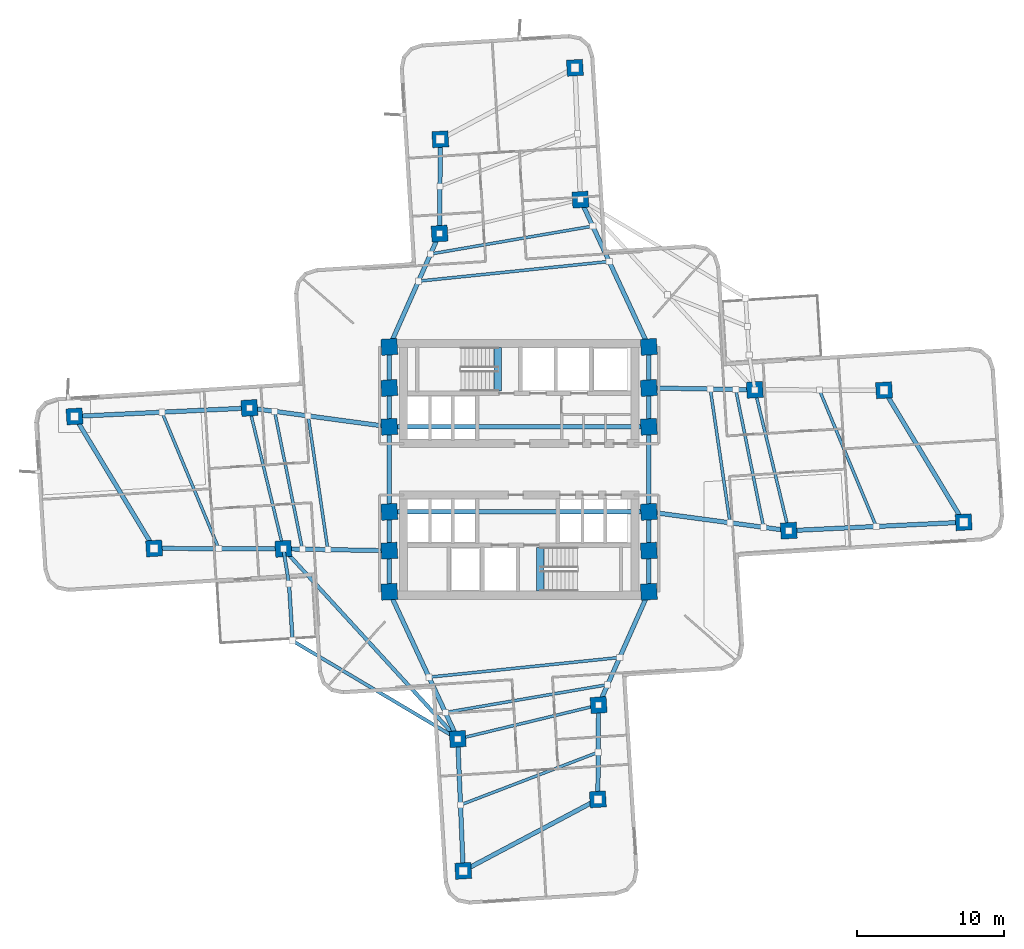
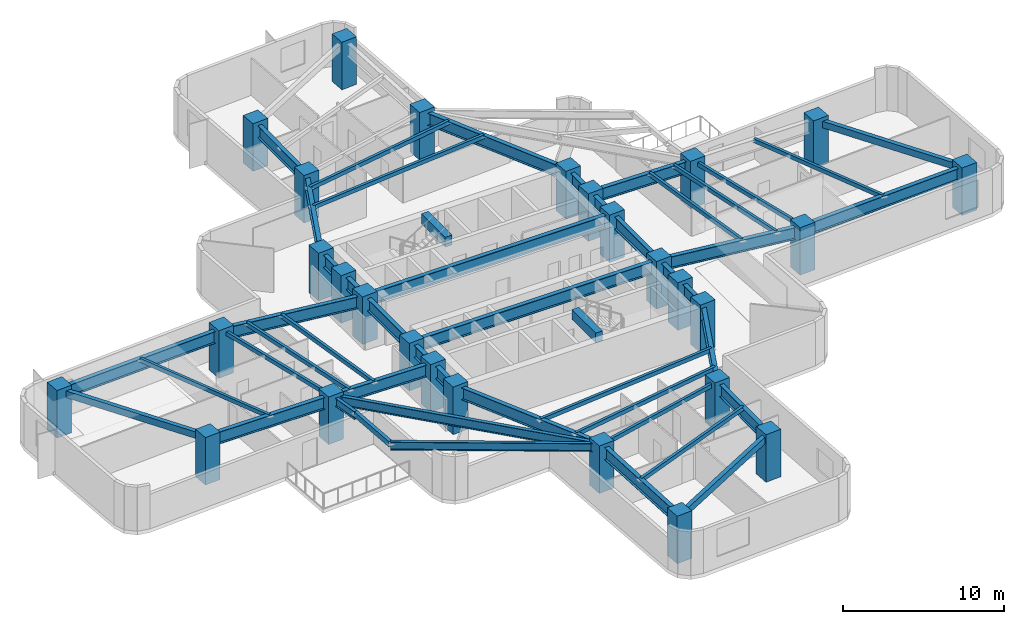
# One storey, part 1 of 11: 49 beams, 28 columns.
"""IFC4 building model written with IfcOpenShell, lengths in metres."""

from ifc_helpers import new_model, si_unit, direction, frame, origin, origin_2d, place, context, subcontext, project, spatial, rectangle, hollow_rectangle, i_section, extrude, material, material_profile, profile_set, type_object, element, save


model = new_model("IFC4")

# Units and contexts
model_context = context("Model", 3, precision=1e-05, world=origin(), true_north=direction((0.0, 1.0)))
body_context = subcontext(model_context, "Body", "Model", "MODEL_VIEW")
ifc_project = project(units=[si_unit("LENGTHUNIT", "METRE"), si_unit("AREAUNIT", "SQUARE_METRE"), si_unit("VOLUMEUNIT", "CUBIC_METRE"), si_unit("PLANEANGLEUNIT", "RADIAN"), si_unit("MASSUNIT", "GRAM", prefix="KILO")], contexts=[model_context])

# Site, building, storey
site_placement = place(None, origin())
site = spatial("IfcSite", under=ifc_project, at=site_placement, CompositionType="ELEMENT")
building_placement = place(site_placement, origin())
building = spatial("IfcBuilding", under=site, at=building_placement, Name="Solmarez Civic Tower", CompositionType="ELEMENT")
storey_placement = place(building_placement, frame((0.0, 0.0, 49.679931640625)))
storey = spatial("IfcBuildingStorey", under=building, at=storey_placement, Name="L12", CompositionType="ELEMENT", Elevation=49.679931640625)

# Columns
ifc_material_1 = material(Name="Concrete C60/75", Category="concrete")
ifc_material_profile_1 = material_profile(ifc_material_1, rectangle(XDim=1.10009765625, YDim=1.10009765625, at=origin_2d()), Name="RC1100X1100")
ifc_profile_set_1 = profile_set([ifc_material_profile_1], Name="Concrete C60/75")
column_type = type_object("IfcColumnType", Name="COL-RC1100", PredefinedType="COLUMN", material=ifc_profile_set_1)
for number, where, z_axis, x_axis, name in (
    (1, (-8.85009765625, -5.550048828125, 0.0), (0.0, 0.0, 1.0), (0.998026728428, 0.062790519529, 0.0), "L12 Structural Column HC1"),
    (2, (-8.85009765625, -2.89990234375, 0.0), (0.0, 0.0, 1.0), (0.998026728428, 0.062790519529, 0.0), "L12 Structural Column HC2"),
    (3, (-8.85009765625, 2.89990234375, 0.0), (0.0, 0.0, 1.0), (0.998026728428, 0.062790519529, 0.0), "L12 Structural Column HC3"),
    (4, (-8.85009765625, 5.550048828125, 0.0), (0.0, 0.0, 1.0), (0.998026728428, 0.062790519529, 0.0), "L12 Structural Column HC4"),
    (5, (8.85009765625, -5.550048828125, 0.0), (0.0, 0.0, 1.0), (0.998026728428, 0.062790519529, 0.0), "L12 Structural Column HC5"),
    (6, (8.85009765625, -2.89990234375, 0.0), (0.0, 0.0, 1.0), (0.998026728428, 0.062790519529, 0.0), "L12 Structural Column HC6"),
    (7, (8.85009765625, 2.89990234375, 0.0), (0.0, 0.0, 1.0), (0.998026728428, 0.062790519529, 0.0), "L12 Structural Column HC7"),
    (8, (8.85009765625, 5.550048828125, 0.0), (0.0, 0.0, 1.0), (0.998026728428, 0.062790519529, 0.0), "L12 Structural Column HC8"),
    (9, (-8.85009765625, 8.35009765625, 0.0), (0.0, 0.0, 1.0), (0.998026728428, 0.062790519529, 0.0), "L12 Structural Column HC9"),
    (10, (8.85009765625, -8.35009765625, 0.0), (0.0, 0.0, 1.0), (0.998026728428, 0.062790519529, 0.0), "L12 Structural Column HC10"),
    (11, (8.85009765625, 8.35009765625, 0.0), (0.0, 0.0, 1.0), (0.998026728428, 0.062790519529, 0.0), "L12 Structural Column HC11"),
    (12, (-8.85009765625, -8.35009765625, 0.0), (0.0, 0.0, 1.0), (0.998026728428, 0.062790519529, 0.0), "L12 Structural Column HC12"),
    (13, (18.39111328125, -4.18408203125, 0.0), (0.0, 0.0, 1.0), (0.998026728428, 0.062790519529, 0.0), "L12 Structural Column EA11"),
    (14, (16.075927734375, 5.4208984375, 0.0), (0.0, 0.0, 1.0), (0.998026728428, 0.062790519529, 0.0), "L12 Structural Column EA12"),
    (15, (30.318115234375, -3.60888671875, 0.0), (0.0, 0.0, 1.0), (0.998026728428, 0.062790519529, 0.0), "L12 Structural Column EA21"),
    (16, (24.887939453125, 5.39306640625, 0.0), (0.0, 0.0, 1.0), (0.998026728428, 0.062790519529, 0.0), "L12 Structural Column EA22"),
    (17, (4.18408203125, 18.39111328125, 0.0), (0.0, 0.0, 1.0), (0.998026728428, 0.062790519529, 0.0), "L12 Structural Column NA11"),
    (18, (-5.4208984375, 16.075927734375, 0.0), (0.0, 0.0, 1.0), (0.998026728428, 0.062790519529, 0.0), "L12 Structural Column NA12"),
    (19, (3.806884765625, 27.383056640625, 0.0), (0.0, 0.0, 1.0), (0.998026728428, 0.062790519529, 0.0), "L12 Structural Column NA21"),
    (20, (-5.3720703125, 22.507080078125, 0.0), (0.0, 0.0, 1.0), (0.998026728428, 0.062790519529, 0.0), "L12 Structural Column NA22"),
    (21, (-18.39111328125, 4.18408203125, 0.0), (0.0, 0.0, 1.0), (0.998026728428, 0.062790519529, 0.0), "L12 Structural Column WA11"),
    (22, (-16.075927734375, -5.4208984375, 0.0), (0.0, 0.0, 1.0), (0.998026728428, 0.062790519529, 0.0), "L12 Structural Column WA12"),
    (23, (-30.318115234375, 3.60888671875, 0.0), (0.0, 0.0, 1.0), (0.998026728428, 0.062790519529, 0.0), "L12 Structural Column WA21"),
    (24, (-24.887939453125, -5.39306640625, 0.0), (0.0, 0.0, 1.0), (0.998026728428, 0.062790519529, 0.0), "L12 Structural Column WA22"),
    (25, (-4.18408203125, -18.39111328125, 0.0), (0.0, 0.0, 1.0), (0.998026728428, 0.062790519529, 0.0), "L12 Structural Column SA11"),
    (26, (5.4208984375, -16.075927734375, 0.0), (0.0, 0.0, 1.0), (0.998026728428, 0.062790519529, 0.0), "L12 Structural Column SA12"),
    (27, (-3.806884765625, -27.383056640625, 0.0), (0.0, 0.0, 1.0), (0.998026728428, 0.062790519529, 0.0), "L12 Structural Column SA21"),
    (28, (5.3720703125, -22.507080078125, 0.0), (0.0, 0.0, 1.0), (0.998026728428, 0.062790519529, 0.0), "L12 Structural Column SA22"),
):
    element("IfcColumn", number, at=place(storey_placement, frame(where, z_axis=z_axis, x_axis=x_axis)), inside=storey, type_object=column_type, Name=name, PredefinedType="COLUMN", context=body_context, shape_type="SweptSolid", body=[
        extrude(rectangle(XDim=1.10009765625, YDim=1.10009765625, at=origin_2d()), origin(), (0.0, 0.0, 1.0), 3.60009765625),
    ])

# Beams
ifc_material_2 = material(Name="Steel S355", Category="steel")
ifc_material_profile_2 = material_profile(ifc_material_2, hollow_rectangle(XDim=0.199951171875, YDim=0.300048828125, WallThickness=0.011962890625, at=origin_2d()), Name="HSS300X200X12")
ifc_profile_set_2 = profile_set([ifc_material_profile_2], Name="Steel S355")
beam_type_1 = type_object("IfcBeamType", Name="BM-JS-HSS300X200", PredefinedType="JOIST", material=ifc_profile_set_2)
beam_1_placement = place(storey_placement, frame((18.39111328125, -4.18408203125, 3.170166015625), z_axis=(-0.234328919867, 0.97215737271, 0.0), x_axis=(-0.97215737271, -0.234328919867, 0.0)))
element("IfcBeam", 29, at=beam_1_placement, inside=storey, type_object=beam_type_1, Name="L12 Secondary Floor Joist BM-L12-EA-T1", PredefinedType="JOIST", context=body_context, shape_type="SweptSolid", body=[
    extrude(hollow_rectangle(XDim=0.199951171875, YDim=0.300048828125, WallThickness=0.011962890625, at=origin_2d()), origin(), (0.0, 0.0, 1.0), 9.880126953125),
])
beam_2_placement = place(storey_placement, frame((24.35498046875, -3.89697265625, 3.170166015625), z_axis=(-0.384310898391, 0.923203733408, 0.0), x_axis=(-0.923203733408, -0.384310898391, 0.0)))
element("IfcBeam", 30, at=beam_2_placement, inside=storey, type_object=beam_type_1, Name="L12 Secondary Floor Joist JS-L12-EA-M2", PredefinedType="JOIST", context=body_context, shape_type="SweptSolid", body=[
    extrude(hollow_rectangle(XDim=0.199951171875, YDim=0.300048828125, WallThickness=0.011962890625, at=origin_2d()), origin(), (0.0, 0.0, 1.0), 10.077880859375),
])
beam_3_placement = place(storey_placement, frame((14.384033203125, -3.64501953125, 3.170166015625), z_axis=(-0.145687649447, 0.989330636743, 0.0), x_axis=(-0.989330636743, -0.145687649447, 0.0)))
element("IfcBeam", 31, at=beam_3_placement, inside=storey, type_object=beam_type_1, Name="L12 Secondary Floor Joist JS-L12-EA-M11", PredefinedType="JOIST", context=body_context, shape_type="SweptSolid", body=[
    extrude(hollow_rectangle(XDim=0.199951171875, YDim=0.300048828125, WallThickness=0.011962890625, at=origin_2d()), origin(), (0.0, 0.0, 1.0), 9.218505859375),
])
beam_4_placement = place(storey_placement, frame((16.674072265625, -3.952880859375, 3.170166015625), z_axis=(-0.198099134772, 0.980181989634, 0.0), x_axis=(-0.980181989634, -0.198099134772, 0.0)))
element("IfcBeam", 32, at=beam_4_placement, inside=storey, type_object=beam_type_1, Name="L12 Secondary Floor Joist JS-L12-EA-M12", PredefinedType="JOIST", context=body_context, shape_type="SweptSolid", body=[
    extrude(hollow_rectangle(XDim=0.199951171875, YDim=0.300048828125, WallThickness=0.011962890625, at=origin_2d()), origin(), (0.0, 0.0, 1.0), 9.5869140625),
])
beam_5_placement = place(storey_placement, frame((6.14404296875, 14.174072265625, 3.170166015625), z_axis=(-0.9947100999, -0.102722038325, 0.0), x_axis=(0.102722038325, -0.9947100999, 0.0)))
element("IfcBeam", 33, at=beam_5_placement, inside=storey, type_object=beam_type_1, Name="L12 Secondary Floor Joist JS-L12-NA-M11", PredefinedType="JOIST", context=body_context, shape_type="SweptSolid", body=[
    extrude(hollow_rectangle(XDim=0.199951171875, YDim=0.300048828125, WallThickness=0.011962890625, at=origin_2d()), origin(), (0.0, 0.0, 1.0), 13.07421875),
])
beam_6_placement = place(storey_placement, frame((5.02392578125, 16.583984375, 3.170166015625), z_axis=(-0.985583934907, -0.169187195889, 0.0), x_axis=(0.169187195889, -0.985583934907, 0.0)))
element("IfcBeam", 34, at=beam_6_placement, inside=storey, type_object=beam_type_1, Name="L12 Secondary Floor Joist JS-L12-NA-M12", PredefinedType="JOIST", context=body_context, shape_type="SweptSolid", body=[
    extrude(hollow_rectangle(XDim=0.199951171875, YDim=0.300048828125, WallThickness=0.011962890625, at=origin_2d()), origin(), (0.0, 0.0, 1.0), 11.223876953125),
])
beam_7_placement = place(storey_placement, frame((-18.39111328125, 4.18408203125, 3.170166015625), z_axis=(0.234328919867, -0.97215737271, 0.0), x_axis=(0.97215737271, 0.234328919867, 0.0)))
element("IfcBeam", 35, at=beam_7_placement, inside=storey, type_object=beam_type_1, Name="L12 Secondary Floor Joist BM-L12-WA-T1", PredefinedType="JOIST", context=body_context, shape_type="SweptSolid", body=[
    extrude(hollow_rectangle(XDim=0.199951171875, YDim=0.300048828125, WallThickness=0.011962890625, at=origin_2d()), origin(), (0.0, 0.0, 1.0), 9.880126953125),
])
beam_8_placement = place(storey_placement, frame((-24.35498046875, 3.89697265625, 3.170166015625), z_axis=(0.384310898391, -0.923203733408, 0.0), x_axis=(0.923203733408, 0.384310898391, 0.0)))
element("IfcBeam", 36, at=beam_8_placement, inside=storey, type_object=beam_type_1, Name="L12 Secondary Floor Joist JS-L12-WA-M2", PredefinedType="JOIST", context=body_context, shape_type="SweptSolid", body=[
    extrude(hollow_rectangle(XDim=0.199951171875, YDim=0.300048828125, WallThickness=0.011962890625, at=origin_2d()), origin(), (0.0, 0.0, 1.0), 10.077880859375),
])
beam_9_placement = place(storey_placement, frame((-14.384033203125, 3.64501953125, 3.170166015625), z_axis=(0.145687649447, -0.989330636743, 0.0), x_axis=(0.989330636743, 0.145687649447, 0.0)))
element("IfcBeam", 37, at=beam_9_placement, inside=storey, type_object=beam_type_1, Name="L12 Secondary Floor Joist JS-L12-WA-M11", PredefinedType="JOIST", context=body_context, shape_type="SweptSolid", body=[
    extrude(hollow_rectangle(XDim=0.199951171875, YDim=0.300048828125, WallThickness=0.011962890625, at=origin_2d()), origin(), (0.0, 0.0, 1.0), 9.218505859375),
])
beam_10_placement = place(storey_placement, frame((-16.674072265625, 3.952880859375, 3.170166015625), z_axis=(0.198099134772, -0.980181989634, 0.0), x_axis=(0.980181989634, 0.198099134772, 0.0)))
element("IfcBeam", 38, at=beam_10_placement, inside=storey, type_object=beam_type_1, Name="L12 Secondary Floor Joist JS-L12-WA-M12", PredefinedType="JOIST", context=body_context, shape_type="SweptSolid", body=[
    extrude(hollow_rectangle(XDim=0.199951171875, YDim=0.300048828125, WallThickness=0.011962890625, at=origin_2d()), origin(), (0.0, 0.0, 1.0), 9.5869140625),
])
beam_11_placement = place(storey_placement, frame((-4.18408203125, -18.39111328125, 3.170166015625), z_axis=(0.97215737271, 0.234328919867, 0.0), x_axis=(-0.234328919867, 0.97215737271, 0.0)))
element("IfcBeam", 39, at=beam_11_placement, inside=storey, type_object=beam_type_1, Name="L12 Secondary Floor Joist BM-L12-SA-T1", PredefinedType="JOIST", context=body_context, shape_type="SweptSolid", body=[
    extrude(hollow_rectangle(XDim=0.199951171875, YDim=0.300048828125, WallThickness=0.011962890625, at=origin_2d()), origin(), (0.0, 0.0, 1.0), 9.880126953125),
])
beam_12_placement = place(storey_placement, frame((-3.9951171875, -22.886962890625, 3.170166015625), z_axis=(0.933878315551, 0.357590955903, 0.0), x_axis=(-0.357590955903, 0.933878315551, 0.0)))
element("IfcBeam", 40, at=beam_12_placement, inside=storey, type_object=beam_type_1, Name="L12 Secondary Floor Joist JS-L12-SA-M2", PredefinedType="JOIST", context=body_context, shape_type="SweptSolid", body=[
    extrude(hollow_rectangle(XDim=0.199951171875, YDim=0.300048828125, WallThickness=0.011962890625, at=origin_2d()), origin(), (0.0, 0.0, 1.0), 10.05615234375),
])
beam_13_placement = place(storey_placement, frame((-6.14404296875, -14.174072265625, 3.170166015625), z_axis=(0.9947100999, 0.102722038325, 0.0), x_axis=(-0.102722038325, 0.9947100999, 0.0)))
element("IfcBeam", 41, at=beam_13_placement, inside=storey, type_object=beam_type_1, Name="L12 Secondary Floor Joist JS-L12-SA-M11", PredefinedType="JOIST", context=body_context, shape_type="SweptSolid", body=[
    extrude(hollow_rectangle(XDim=0.199951171875, YDim=0.300048828125, WallThickness=0.011962890625, at=origin_2d()), origin(), (0.0, 0.0, 1.0), 13.07421875),
])
beam_14_placement = place(storey_placement, frame((-5.02392578125, -16.583984375, 3.170166015625), z_axis=(0.985583934907, 0.169187195889, 0.0), x_axis=(-0.169187195889, 0.985583934907, 0.0)))
element("IfcBeam", 42, at=beam_14_placement, inside=storey, type_object=beam_type_1, Name="L12 Secondary Floor Joist JS-L12-SA-M12", PredefinedType="JOIST", context=body_context, shape_type="SweptSolid", body=[
    extrude(hollow_rectangle(XDim=0.199951171875, YDim=0.300048828125, WallThickness=0.011962890625, at=origin_2d()), origin(), (0.0, 0.0, 1.0), 11.223876953125),
])
ifc_material_3 = material(Name="Concrete C50/60", Category="concrete")
ifc_material_profile_3 = material_profile(ifc_material_3, rectangle(XDim=0.5, YDim=0.75, at=origin_2d()), Name="RC500X750")
ifc_profile_set_3 = profile_set([ifc_material_profile_3], Name="Concrete C50/60")
beam_type_2 = type_object("IfcBeamType", Name="BM-PR-RC500X750", PredefinedType="BEAM", material=ifc_profile_set_3)
for number, where, z_axis, x_axis, name in (
    (43, (-1.449951171875, 5.340087890625, 3.233154296875), (0.0, 1.0, 0.0), (-1.0, 0.0, 0.0), "L12 North Stair Threshold Beam"),
    (44, (1.449951171875, -8.300048828125, 3.233154296875), (0.0, 1.0, 0.0), (-1.0, 0.0, 0.0), "L12 South Stair Threshold Beam"),
):
    element("IfcBeam", number, at=place(storey_placement, frame(where, z_axis=z_axis, x_axis=x_axis)), inside=storey, type_object=beam_type_2, Name=name, PredefinedType="BEAM", context=body_context, shape_type="SweptSolid", body=[
        extrude(rectangle(XDim=0.5, YDim=0.75, at=origin_2d()), origin(), (0.0, 0.0, 1.0), 2.9599609375),
    ])
ifc_material_profile_4 = material_profile(ifc_material_2, i_section(OverallWidth=0.25390625, OverallDepth=0.68798828125, WebThickness=0.01318359375, FlangeThickness=0.02099609375, at=origin_2d()), Name="W27X102")
ifc_profile_set_4 = profile_set([ifc_material_profile_4], Name="Steel S355")
beam_type_3 = type_object("IfcBeamType", Name="BM-PR-W27X102", PredefinedType="BEAM", material=ifc_profile_set_4)
beam_15_placement = place(storey_placement, frame((-16.075927734375, -5.4208984375, 2.97607421875), z_axis=(0.6758012736, -0.737083874875, 0.0), x_axis=(0.737083874875, 0.6758012736, 0.0)))
element("IfcBeam", 45, at=beam_15_placement, inside=storey, type_object=beam_type_3, Name="L12 Primary Floor Beam BM-L12-BALC-SWC", PredefinedType="BEAM", context=body_context, shape_type="SweptSolid", body=[
    extrude(i_section(OverallWidth=0.25390625, OverallDepth=0.68798828125, WebThickness=0.01318359375, FlangeThickness=0.02099609375, at=origin_2d()), origin(), (0.0, 0.0, 1.0), 17.5966796875),
])
ifc_material_profile_5 = material_profile(ifc_material_2, i_section(OverallWidth=0.303955078125, OverallDepth=0.910888671875, WebThickness=0.015869140625, FlangeThickness=0.02392578125, at=origin_2d()), Name="W36X150")
ifc_profile_set_5 = profile_set([ifc_material_profile_5], Name="Steel S355")
beam_type_4 = type_object("IfcBeamType", Name="BM-PR-W36X150", PredefinedType="BEAM", material=ifc_profile_set_5)
beam_16_placement = place(storey_placement, frame((8.85009765625, -2.89990234375, 2.864013671875), z_axis=(0.991063240718, -0.133392851745, 0.0), x_axis=(0.133392851745, 0.991063240718, 0.0)))
element("IfcBeam", 46, at=beam_16_placement, inside=storey, type_object=beam_type_4, Name="L12 Primary Floor Beam BM-L12-EA-R1A", PredefinedType="BEAM", context=body_context, shape_type="SweptSolid", body=[
    extrude(i_section(OverallWidth=0.303955078125, OverallDepth=0.910888671875, WebThickness=0.015869140625, FlangeThickness=0.02392578125, at=origin_2d()), origin(), (0.0, 0.0, 1.0), 9.626953125),
])
beam_17_placement = place(storey_placement, frame((8.85009765625, 5.550048828125, 2.864013671875), z_axis=(0.999840308455, -0.017870578882, 0.0), x_axis=(0.017870578882, 0.999840308455, 0.0)))
element("IfcBeam", 47, at=beam_17_placement, inside=storey, type_object=beam_type_4, Name="L12 Primary Floor Beam BM-L12-EA-R1B", PredefinedType="BEAM", context=body_context, shape_type="SweptSolid", body=[
    extrude(i_section(OverallWidth=0.303955078125, OverallDepth=0.910888671875, WebThickness=0.015869140625, FlangeThickness=0.02392578125, at=origin_2d()), origin(), (0.0, 0.0, 1.0), 7.22705078125),
])
beam_18_placement = place(storey_placement, frame((18.39111328125, -4.18408203125, 2.864013671875), z_axis=(0.998839135977, 0.048170327398, 0.0), x_axis=(-0.048170327398, 0.998839135977, 0.0)))
element("IfcBeam", 48, at=beam_18_placement, inside=storey, type_object=beam_type_4, Name="L12 Primary Floor Beam BM-L12-EA-R2A", PredefinedType="BEAM", context=body_context, shape_type="SweptSolid", body=[
    extrude(i_section(OverallWidth=0.303955078125, OverallDepth=0.910888671875, WebThickness=0.015869140625, FlangeThickness=0.02392578125, at=origin_2d()), origin(), (0.0, 0.0, 1.0), 11.94091796875),
])
beam_19_placement = place(storey_placement, frame((8.85009765625, 8.35009765625, 2.864013671875), z_axis=(-0.421417065364, 0.906866945599, 0.0), x_axis=(-0.906866945599, -0.421417065364, 0.0)))
element("IfcBeam", 49, at=beam_19_placement, inside=storey, type_object=beam_type_4, Name="L12 Primary Floor Beam BM-L12-NA-R1A", PredefinedType="BEAM", context=body_context, shape_type="SweptSolid", body=[
    extrude(i_section(OverallWidth=0.303955078125, OverallDepth=0.910888671875, WebThickness=0.015869140625, FlangeThickness=0.02392578125, at=origin_2d()), origin(), (0.0, 0.0, 1.0), 11.072265625),
])
beam_20_placement = place(storey_placement, frame((-8.85009765625, 8.35009765625, 2.864013671875), z_axis=(0.405693556952, 0.914009156326, 0.0), x_axis=(-0.914009156326, 0.405693556952, 0.0)))
element("IfcBeam", 50, at=beam_20_placement, inside=storey, type_object=beam_type_4, Name="L12 Primary Floor Beam BM-L12-NA-R1B", PredefinedType="BEAM", context=body_context, shape_type="SweptSolid", body=[
    extrude(i_section(OverallWidth=0.303955078125, OverallDepth=0.910888671875, WebThickness=0.015869140625, FlangeThickness=0.02392578125, at=origin_2d()), origin(), (0.0, 0.0, 1.0), 8.45263671875),
])
beam_21_placement = place(storey_placement, frame((-5.4208984375, 16.075927734375, 2.864013671875), z_axis=(0.007592219108, 0.999971178689, 0.0), x_axis=(-0.999971178689, 0.007592219108, 0.0)))
element("IfcBeam", 51, at=beam_21_placement, inside=storey, type_object=beam_type_4, Name="L12 Primary Floor Beam BM-L12-NA-R2B", PredefinedType="BEAM", context=body_context, shape_type="SweptSolid", body=[
    extrude(i_section(OverallWidth=0.303955078125, OverallDepth=0.910888671875, WebThickness=0.015869140625, FlangeThickness=0.02392578125, at=origin_2d()), origin(), (0.0, 0.0, 1.0), 6.431396484375),
])
beam_22_placement = place(storey_placement, frame((-8.85009765625, 2.89990234375, 2.864013671875), z_axis=(-0.991063240718, 0.133392851745, 0.0), x_axis=(-0.133392851745, -0.991063240718, 0.0)))
element("IfcBeam", 52, at=beam_22_placement, inside=storey, type_object=beam_type_4, Name="L12 Primary Floor Beam BM-L12-WA-R1A", PredefinedType="BEAM", context=body_context, shape_type="SweptSolid", body=[
    extrude(i_section(OverallWidth=0.303955078125, OverallDepth=0.910888671875, WebThickness=0.015869140625, FlangeThickness=0.02392578125, at=origin_2d()), origin(), (0.0, 0.0, 1.0), 9.626953125),
])
beam_23_placement = place(storey_placement, frame((-8.85009765625, -5.550048828125, 2.864013671875), z_axis=(-0.999840308455, 0.017870578882, 0.0), x_axis=(-0.017870578882, -0.999840308455, 0.0)))
element("IfcBeam", 53, at=beam_23_placement, inside=storey, type_object=beam_type_4, Name="L12 Primary Floor Beam BM-L12-WA-R1B", PredefinedType="BEAM", context=body_context, shape_type="SweptSolid", body=[
    extrude(i_section(OverallWidth=0.303955078125, OverallDepth=0.910888671875, WebThickness=0.015869140625, FlangeThickness=0.02392578125, at=origin_2d()), origin(), (0.0, 0.0, 1.0), 7.22705078125),
])
beam_24_placement = place(storey_placement, frame((-18.39111328125, 4.18408203125, 2.864013671875), z_axis=(-0.998839135977, -0.048170327398, 0.0), x_axis=(0.048170327398, -0.998839135977, 0.0)))
element("IfcBeam", 54, at=beam_24_placement, inside=storey, type_object=beam_type_4, Name="L12 Primary Floor Beam BM-L12-WA-R2A", PredefinedType="BEAM", context=body_context, shape_type="SweptSolid", body=[
    extrude(i_section(OverallWidth=0.303955078125, OverallDepth=0.910888671875, WebThickness=0.015869140625, FlangeThickness=0.02392578125, at=origin_2d()), origin(), (0.0, 0.0, 1.0), 11.94091796875),
])
beam_25_placement = place(storey_placement, frame((-16.075927734375, -5.4208984375, 2.864013671875), z_axis=(-0.99999501223, 0.003158403928, 0.0), x_axis=(-0.003158403928, -0.99999501223, 0.0)))
element("IfcBeam", 55, at=beam_25_placement, inside=storey, type_object=beam_type_4, Name="L12 Primary Floor Beam BM-L12-WA-R2B", PredefinedType="BEAM", context=body_context, shape_type="SweptSolid", body=[
    extrude(i_section(OverallWidth=0.303955078125, OverallDepth=0.910888671875, WebThickness=0.015869140625, FlangeThickness=0.02392578125, at=origin_2d()), origin(), (0.0, 0.0, 1.0), 8.81201171875),
])
beam_26_placement = place(storey_placement, frame((-8.85009765625, -8.35009765625, 2.864013671875), z_axis=(0.421417065364, -0.906866945599, 0.0), x_axis=(0.906866945599, 0.421417065364, 0.0)))
element("IfcBeam", 56, at=beam_26_placement, inside=storey, type_object=beam_type_4, Name="L12 Primary Floor Beam BM-L12-SA-R1A", PredefinedType="BEAM", context=body_context, shape_type="SweptSolid", body=[
    extrude(i_section(OverallWidth=0.303955078125, OverallDepth=0.910888671875, WebThickness=0.015869140625, FlangeThickness=0.02392578125, at=origin_2d()), origin(), (0.0, 0.0, 1.0), 11.072265625),
])
beam_27_placement = place(storey_placement, frame((8.85009765625, -8.35009765625, 2.864013671875), z_axis=(-0.405693556952, -0.914009156326, 0.0), x_axis=(0.914009156326, -0.405693556952, 0.0)))
element("IfcBeam", 57, at=beam_27_placement, inside=storey, type_object=beam_type_4, Name="L12 Primary Floor Beam BM-L12-SA-R1B", PredefinedType="BEAM", context=body_context, shape_type="SweptSolid", body=[
    extrude(i_section(OverallWidth=0.303955078125, OverallDepth=0.910888671875, WebThickness=0.015869140625, FlangeThickness=0.02392578125, at=origin_2d()), origin(), (0.0, 0.0, 1.0), 8.45263671875),
])
beam_28_placement = place(storey_placement, frame((-4.18408203125, -18.39111328125, 2.864013671875), z_axis=(0.041911499832, -0.999121327058, 0.0), x_axis=(0.999121327058, 0.041911499832, 0.0)))
element("IfcBeam", 58, at=beam_28_placement, inside=storey, type_object=beam_type_4, Name="L12 Primary Floor Beam BM-L12-SA-R2A", PredefinedType="BEAM", context=body_context, shape_type="SweptSolid", body=[
    extrude(i_section(OverallWidth=0.303955078125, OverallDepth=0.910888671875, WebThickness=0.015869140625, FlangeThickness=0.02392578125, at=origin_2d()), origin(), (0.0, 0.0, 1.0), 8.999755859375),
])
beam_29_placement = place(storey_placement, frame((5.4208984375, -16.075927734375, 2.864013671875), z_axis=(-0.007592219108, -0.999971178689, 0.0), x_axis=(0.999971178689, -0.007592219108, 0.0)))
element("IfcBeam", 59, at=beam_29_placement, inside=storey, type_object=beam_type_4, Name="L12 Primary Floor Beam BM-L12-SA-R2B", PredefinedType="BEAM", context=body_context, shape_type="SweptSolid", body=[
    extrude(i_section(OverallWidth=0.303955078125, OverallDepth=0.910888671875, WebThickness=0.015869140625, FlangeThickness=0.02392578125, at=origin_2d()), origin(), (0.0, 0.0, 1.0), 6.431396484375),
])
ifc_material_profile_6 = material_profile(ifc_material_2, i_section(OverallWidth=0.306884765625, OverallDepth=0.927001953125, WebThickness=0.019287109375, FlangeThickness=0.031982421875, at=origin_2d()), Name="W36X194")
ifc_profile_set_6 = profile_set([ifc_material_profile_6], Name="Steel S355")
beam_type_5 = type_object("IfcBeamType", Name="BM-PR-W36X194", PredefinedType="BEAM", material=ifc_profile_set_6)
beam_30_placement = place(storey_placement, frame((-8.85009765625, -8.35009765625, 2.85595703125), z_axis=(0.0, 1.0, 0.0), x_axis=(-1.0, 0.0, 0.0)))
element("IfcBeam", 60, at=beam_30_placement, inside=storey, type_object=beam_type_5, Name="L12 Primary Floor Beam BM-L12-HC12-HC1", PredefinedType="BEAM", context=body_context, shape_type="SweptSolid", body=[
    extrude(i_section(OverallWidth=0.306884765625, OverallDepth=0.927001953125, WebThickness=0.019287109375, FlangeThickness=0.031982421875, at=origin_2d()), origin(), (0.0, 0.0, 1.0), 2.800048828125),
])
beam_31_placement = place(storey_placement, frame((-8.85009765625, -5.550048828125, 2.85595703125), z_axis=(0.0, 1.0, 0.0), x_axis=(-1.0, 0.0, 0.0)))
element("IfcBeam", 61, at=beam_31_placement, inside=storey, type_object=beam_type_5, Name="L12 Primary Floor Beam BM-L12-HC1-HC2", PredefinedType="BEAM", context=body_context, shape_type="SweptSolid", body=[
    extrude(i_section(OverallWidth=0.306884765625, OverallDepth=0.927001953125, WebThickness=0.019287109375, FlangeThickness=0.031982421875, at=origin_2d()), origin(), (0.0, 0.0, 1.0), 2.650146484375),
])
beam_32_placement = place(storey_placement, frame((-8.85009765625, -2.89990234375, 2.85595703125), z_axis=(0.0, 1.0, 0.0), x_axis=(-1.0, 0.0, 0.0)))
element("IfcBeam", 62, at=beam_32_placement, inside=storey, type_object=beam_type_5, Name="L12 Primary Floor Beam BM-L12-HC2-HC3", PredefinedType="BEAM", context=body_context, shape_type="SweptSolid", body=[
    extrude(i_section(OverallWidth=0.306884765625, OverallDepth=0.927001953125, WebThickness=0.019287109375, FlangeThickness=0.031982421875, at=origin_2d()), origin(), (0.0, 0.0, 1.0), 5.7998046875),
])
beam_33_placement = place(storey_placement, frame((-8.85009765625, 2.89990234375, 2.85595703125), z_axis=(0.0, 1.0, 0.0), x_axis=(-1.0, 0.0, 0.0)))
element("IfcBeam", 63, at=beam_33_placement, inside=storey, type_object=beam_type_5, Name="L12 Primary Floor Beam BM-L12-HC3-HC4", PredefinedType="BEAM", context=body_context, shape_type="SweptSolid", body=[
    extrude(i_section(OverallWidth=0.306884765625, OverallDepth=0.927001953125, WebThickness=0.019287109375, FlangeThickness=0.031982421875, at=origin_2d()), origin(), (0.0, 0.0, 1.0), 2.650146484375),
])
for number, where, z_axis, x_axis, name in (
    (64, (-8.85009765625, 5.550048828125, 2.85595703125), (0.0, 1.0, 0.0), (-1.0, 0.0, 0.0), "L12 Primary Floor Beam BM-L12-HC4-HC9"),
    (65, (8.85009765625, -8.35009765625, 2.85595703125), (0.0, 1.0, 0.0), (-1.0, 0.0, 0.0), "L12 Primary Floor Beam BM-L12-HC10-HC5"),
):
    element("IfcBeam", number, at=place(storey_placement, frame(where, z_axis=z_axis, x_axis=x_axis)), inside=storey, type_object=beam_type_5, Name=name, PredefinedType="BEAM", context=body_context, shape_type="SweptSolid", body=[
        extrude(i_section(OverallWidth=0.306884765625, OverallDepth=0.927001953125, WebThickness=0.019287109375, FlangeThickness=0.031982421875, at=origin_2d()), origin(), (0.0, 0.0, 1.0), 2.800048828125),
    ])
beam_34_placement = place(storey_placement, frame((8.85009765625, -5.550048828125, 2.85595703125), z_axis=(0.0, 1.0, 0.0), x_axis=(-1.0, 0.0, 0.0)))
element("IfcBeam", 66, at=beam_34_placement, inside=storey, type_object=beam_type_5, Name="L12 Primary Floor Beam BM-L12-HC5-HC6", PredefinedType="BEAM", context=body_context, shape_type="SweptSolid", body=[
    extrude(i_section(OverallWidth=0.306884765625, OverallDepth=0.927001953125, WebThickness=0.019287109375, FlangeThickness=0.031982421875, at=origin_2d()), origin(), (0.0, 0.0, 1.0), 2.650146484375),
])
beam_35_placement = place(storey_placement, frame((8.85009765625, -2.89990234375, 2.85595703125), z_axis=(0.0, 1.0, 0.0), x_axis=(-1.0, 0.0, 0.0)))
element("IfcBeam", 67, at=beam_35_placement, inside=storey, type_object=beam_type_5, Name="L12 Primary Floor Beam BM-L12-HC6-HC7", PredefinedType="BEAM", context=body_context, shape_type="SweptSolid", body=[
    extrude(i_section(OverallWidth=0.306884765625, OverallDepth=0.927001953125, WebThickness=0.019287109375, FlangeThickness=0.031982421875, at=origin_2d()), origin(), (0.0, 0.0, 1.0), 5.7998046875),
])
beam_36_placement = place(storey_placement, frame((8.85009765625, 2.89990234375, 2.85595703125), z_axis=(0.0, 1.0, 0.0), x_axis=(-1.0, 0.0, 0.0)))
element("IfcBeam", 68, at=beam_36_placement, inside=storey, type_object=beam_type_5, Name="L12 Primary Floor Beam BM-L12-HC7-HC8", PredefinedType="BEAM", context=body_context, shape_type="SweptSolid", body=[
    extrude(i_section(OverallWidth=0.306884765625, OverallDepth=0.927001953125, WebThickness=0.019287109375, FlangeThickness=0.031982421875, at=origin_2d()), origin(), (0.0, 0.0, 1.0), 2.650146484375),
])
beam_37_placement = place(storey_placement, frame((8.85009765625, 5.550048828125, 2.85595703125), z_axis=(0.0, 1.0, 0.0), x_axis=(-1.0, 0.0, 0.0)))
element("IfcBeam", 69, at=beam_37_placement, inside=storey, type_object=beam_type_5, Name="L12 Primary Floor Beam BM-L12-HC8-HC11", PredefinedType="BEAM", context=body_context, shape_type="SweptSolid", body=[
    extrude(i_section(OverallWidth=0.306884765625, OverallDepth=0.927001953125, WebThickness=0.019287109375, FlangeThickness=0.031982421875, at=origin_2d()), origin(), (0.0, 0.0, 1.0), 2.800048828125),
])
for number, where, z_axis, x_axis, name in (
    (70, (-8.85009765625, -2.89990234375, 2.85595703125), (1.0, 0.0, 0.0), (0.0, 1.0, 0.0), "L12 Primary Floor Beam BM-L12-HC2-HC6"),
    (71, (-8.85009765625, 2.89990234375, 2.85595703125), (1.0, 0.0, 0.0), (0.0, 1.0, 0.0), "L12 Primary Floor Beam BM-L12-HC3-HC7"),
):
    element("IfcBeam", number, at=place(storey_placement, frame(where, z_axis=z_axis, x_axis=x_axis)), inside=storey, type_object=beam_type_5, Name=name, PredefinedType="BEAM", context=body_context, shape_type="SweptSolid", body=[
        extrude(i_section(OverallWidth=0.306884765625, OverallDepth=0.927001953125, WebThickness=0.019287109375, FlangeThickness=0.031982421875, at=origin_2d()), origin(), (0.0, 0.0, 1.0), 17.7001953125),
    ])
ifc_material_profile_7 = material_profile(ifc_material_2, hollow_rectangle(XDim=0.25, YDim=0.39990234375, WallThickness=0.01611328125, at=origin_2d()), Name="HSS400X250X16")
ifc_profile_set_7 = profile_set([ifc_material_profile_7], Name="Steel S355")
beam_type_6 = type_object("IfcBeamType", Name="BM-SP-HSS400X250", PredefinedType="SPANDREL", material=ifc_profile_set_7)
beam_38_placement = place(storey_placement, frame((-15.69091796875, -7.801025390625, 3.1201171875), z_axis=(0.062791415886, -0.998026672034, 0.0), x_axis=(0.998026672034, 0.062791415886, 0.0)))
element("IfcBeam", 72, at=beam_38_placement, inside=storey, type_object=beam_type_6, Name="L12 Perimeter Spandrel Beam BM-L12-BALC-SWE", PredefinedType="SPANDREL", context=body_context, shape_type="SweptSolid", body=[
    extrude(hollow_rectangle(XDim=0.25, YDim=0.39990234375, WallThickness=0.01611328125, at=origin_2d()), origin(), (0.0, 0.0, 1.0), 3.89990234375),
])
ifc_material_profile_8 = material_profile(ifc_material_2, hollow_rectangle(XDim=0.300048828125, YDim=0.5, WallThickness=0.02001953125, at=origin_2d()), Name="HSS500X300X20")
ifc_profile_set_8 = profile_set([ifc_material_profile_8], Name="Steel S355")
beam_type_7 = type_object("IfcBeamType", Name="BM-SP-HSS500X300", PredefinedType="SPANDREL", material=ifc_profile_set_8)
for number, where, z_axis, x_axis, name in (
    (73, (30.318115234375, -3.60888671875, 3.070068359375), (-0.516522901024, 0.856273374991, 0.0), (-0.856273374991, -0.516522901024, 0.0), "L12 Perimeter Spandrel Beam BM-L12-EA-T2"),
    (74, (-30.318115234375, 3.60888671875, 3.070068359375), (0.516522901024, -0.856273374991, 0.0), (0.856273374991, 0.516522901024, 0.0), "L12 Perimeter Spandrel Beam BM-L12-WA-T2"),
):
    element("IfcBeam", number, at=place(storey_placement, frame(where, z_axis=z_axis, x_axis=x_axis)), inside=storey, type_object=beam_type_7, Name=name, PredefinedType="SPANDREL", context=body_context, shape_type="SweptSolid", body=[
        extrude(hollow_rectangle(XDim=0.300048828125, YDim=0.5, WallThickness=0.02001953125, at=origin_2d()), origin(), (0.0, 0.0, 1.0), 10.512939453125),
    ])
beam_39_placement = place(storey_placement, frame((-3.806884765625, -27.383056640625, 3.070068359375), z_axis=(0.883129404808, 0.469129464394, 0.0), x_axis=(-0.469129464394, 0.883129404808, 0.0)))
element("IfcBeam", 75, at=beam_39_placement, inside=storey, type_object=beam_type_7, Name="L12 Perimeter Spandrel Beam BM-L12-SA-T2", PredefinedType="SPANDREL", context=body_context, shape_type="SweptSolid", body=[
    extrude(hollow_rectangle(XDim=0.300048828125, YDim=0.5, WallThickness=0.02001953125, at=origin_2d()), origin(), (0.0, 0.0, 1.0), 10.3935546875),
])
ifc_material_profile_9 = material_profile(ifc_material_2, i_section(OverallWidth=0.22900390625, OverallDepth=0.612060546875, WebThickness=0.011962890625, FlangeThickness=0.01953125, at=origin_2d()), Name="W24X84")
ifc_profile_set_9 = profile_set([ifc_material_profile_9], Name="Steel S355")
beam_type_8 = type_object("IfcBeamType", Name="BM-SP-W24X84", PredefinedType="SPANDREL", material=ifc_profile_set_9)
beam_40_placement = place(storey_placement, frame((-16.075927734375, -5.4208984375, 3.01416015625), z_axis=(0.159684490548, -0.987168102948, 0.0), x_axis=(0.987168102948, 0.159684490548, 0.0)))
element("IfcBeam", 76, at=beam_40_placement, inside=storey, type_object=beam_type_8, Name="L12 Perimeter Spandrel Beam BM-L12-BALC-SW1", PredefinedType="SPANDREL", context=body_context, shape_type="SweptSolid", body=[
    extrude(i_section(OverallWidth=0.22900390625, OverallDepth=0.612060546875, WebThickness=0.011962890625, FlangeThickness=0.01953125, at=origin_2d()), origin(), (0.0, 0.0, 1.0), 2.4111328125),
])
beam_41_placement = place(storey_placement, frame((-4.18408203125, -18.39111328125, 3.01416015625), z_axis=(-0.859479031242, 0.511171003536, 0.0), x_axis=(-0.511171003536, -0.859479031242, 0.0)))
element("IfcBeam", 77, at=beam_41_placement, inside=storey, type_object=beam_type_8, Name="L12 Perimeter Spandrel Beam BM-L12-BALC-SW2", PredefinedType="SPANDREL", context=body_context, shape_type="SweptSolid", body=[
    extrude(i_section(OverallWidth=0.22900390625, OverallDepth=0.612060546875, WebThickness=0.011962890625, FlangeThickness=0.01953125, at=origin_2d()), origin(), (0.0, 0.0, 1.0), 13.103271484375),
])

save(model, "model.ifc")
